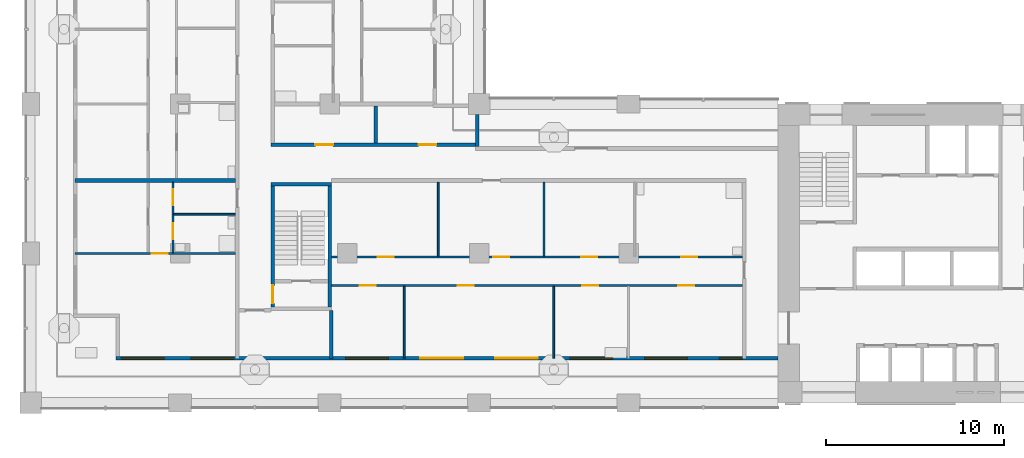
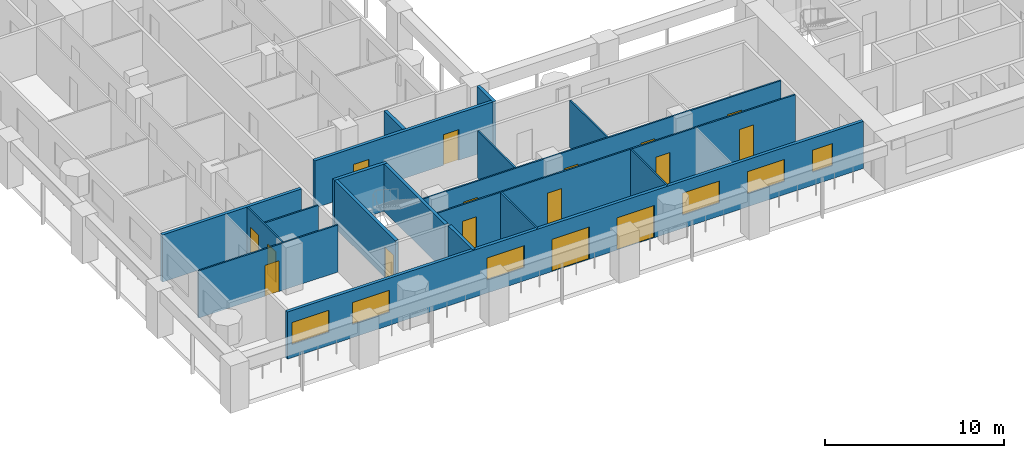
# One storey, part 2 of 18: 18 walls, 16 doors, 6 windows, 22 openings.
"""IFC4 building model written with IfcOpenShell, lengths in metres."""

from ifc_helpers import new_model, si_unit, direction, frame, frame_2d, origin, place, context, subcontext, project, spatial, rectangle, extrude, material, layer, layer_set, type_object, element, fill, save


model = new_model("IFC4")

# Units and contexts
model_context = context("Model", 3, precision=1e-05, world=origin(), true_north=direction((0.0, 1.0)))
body_context = subcontext(model_context, "Body", "Model", "MODEL_VIEW")
ifc_project = project(units=[si_unit("LENGTHUNIT", "METRE"), si_unit("AREAUNIT", "SQUARE_METRE"), si_unit("VOLUMEUNIT", "CUBIC_METRE"), si_unit("PLANEANGLEUNIT", "RADIAN"), si_unit("MASSUNIT", "GRAM", prefix="KILO")], contexts=[model_context])

# Site, building, storey
site_placement = place(None, origin())
site = spatial("IfcSite", under=ifc_project, at=site_placement, CompositionType="ELEMENT")
building_placement = place(site_placement, origin())
building = spatial("IfcBuilding", under=site, at=building_placement, Name="Vermilion Gate Residences", CompositionType="ELEMENT")
storey_placement = place(building_placement, frame((0.0, 0.0, 88.199951171875)))
storey = spatial("IfcBuildingStorey", under=building, at=storey_placement, Name="L21", CompositionType="ELEMENT", Elevation=88.199951171875)

# Wall, openings, doors, windows
ifc_material_1 = material(Name="Insulated steel stud wall with terracotta rainscreen", Category="masonry")
ifc_layer_1 = layer(ifc_material_1, 0.199951171875)
ifc_layer_set_1 = layer_set([ifc_layer_1], Name="EXTERNAL WALL 200 TERRACOTTA RAINSCREEN")
wall_type_1 = type_object("IfcWallType", Name="EXTERNAL WALL 200 TERRACOTTA RAINSCREEN", PredefinedType="SOLIDWALL", material=ifc_layer_set_1)
wall_1_placement = place(storey_placement, frame((4.800048828125, 10.89990234375, 0.0), z_axis=(0.0, 0.0, 1.0), x_axis=(1.0, 0.0, 0.0)))
wall_1 = element("IfcWall", 1, at=wall_1_placement, inside=storey, type_object=wall_type_1, Name="External wall", PredefinedType="SOLIDWALL", context=body_context, shape_type="SweptSolid", body=[
    extrude(rectangle(XDim=37.199951171875, YDim=0.199951171875, at=frame_2d((18.60009765625, 0.0))), origin(), (0.0, 0.0, 1.0), 3.219970703125),
])
opening_1_placement = place(wall_1_placement, frame((0.300048828125, 0.0, 0.89990234375)))
opening_1 = element("IfcOpeningElement", 2, at=opening_1_placement, cuts=wall_1, Name="Opening WE21012", PredefinedType="OPENING", context=body_context, shape_type="SweptSolid", body=[
    extrude(rectangle(XDim=2.39990234375, YDim=1.5, at=frame_2d((1.199951171875, 0.75))), frame((0.0, 0.10986328125, 0.0), z_axis=(0.0, -1.0, 0.0), x_axis=(1.0, 0.0, 0.0)), (0.0, 0.0, 1.0), 0.219970703125),
])
opening_2_placement = place(wall_1_placement, frame((4.199951171875, 0.0, 0.89990234375)))
opening_2 = element("IfcOpeningElement", 3, at=opening_2_placement, cuts=wall_1, Name="Opening WE21013", PredefinedType="OPENING", context=body_context, shape_type="SweptSolid", body=[
    extrude(rectangle(XDim=2.39990234375, YDim=1.5, at=frame_2d((1.199951171875, 0.75))), frame((0.0, 0.10986328125, 0.0), z_axis=(0.0, -1.0, 0.0), x_axis=(1.0, 0.0, 0.0)), (0.0, 0.0, 1.0), 0.219970703125),
])
opening_3_placement = place(wall_1_placement, frame((12.89990234375, 0.0, 0.89990234375)))
opening_3 = element("IfcOpeningElement", 4, at=opening_3_placement, cuts=wall_1, Name="Opening WE21014", PredefinedType="OPENING", context=body_context, shape_type="SweptSolid", body=[
    extrude(rectangle(XDim=2.39990234375, YDim=1.5, at=frame_2d((1.199951171875, 0.75))), frame((0.0, 0.10986328125, 0.0), z_axis=(0.0, -1.0, 0.0), x_axis=(1.0, 0.0, 0.0)), (0.0, 0.0, 1.0), 0.219970703125),
])
opening_4_placement = place(wall_1_placement, frame((17.10009765625, 0.0, 0.0)))
opening_4 = element("IfcOpeningElement", 5, at=opening_4_placement, cuts=wall_1, Name="Opening DE21015", PredefinedType="OPENING", context=body_context, shape_type="SweptSolid", body=[
    extrude(rectangle(XDim=2.39990234375, YDim=2.199951171875, at=frame_2d((1.199951171875, 1.10009765625))), frame((0.0, 0.10986328125, 0.0), z_axis=(0.0, -1.0, 0.0), x_axis=(1.0, 0.0, 0.0)), (0.0, 0.0, 1.0), 0.219970703125),
])
opening_5_placement = place(wall_1_placement, frame((21.300048828125, 0.0, 0.0)))
opening_5 = element("IfcOpeningElement", 6, at=opening_5_placement, cuts=wall_1, Name="Opening DE21016", PredefinedType="OPENING", context=body_context, shape_type="SweptSolid", body=[
    extrude(rectangle(XDim=2.39990234375, YDim=2.199951171875, at=frame_2d((1.199951171875, 1.10009765625))), frame((0.0, 0.10986328125, 0.0), z_axis=(0.0, -1.0, 0.0), x_axis=(1.0, 0.0, 0.0)), (0.0, 0.0, 1.0), 0.219970703125),
])
opening_6_placement = place(wall_1_placement, frame((25.5, 0.0, 0.89990234375)))
opening_6 = element("IfcOpeningElement", 7, at=opening_6_placement, cuts=wall_1, Name="Opening WE21017", PredefinedType="OPENING", context=body_context, shape_type="SweptSolid", body=[
    extrude(rectangle(XDim=2.39990234375, YDim=1.5, at=frame_2d((1.199951171875, 0.75))), frame((0.0, 0.10986328125, 0.0), z_axis=(0.0, -1.0, 0.0), x_axis=(1.0, 0.0, 0.0)), (0.0, 0.0, 1.0), 0.219970703125),
])
opening_7_placement = place(wall_1_placement, frame((29.699951171875, 0.0, 0.89990234375)))
opening_7 = element("IfcOpeningElement", 8, at=opening_7_placement, cuts=wall_1, Name="Opening WE21018", PredefinedType="OPENING", context=body_context, shape_type="SweptSolid", body=[
    extrude(rectangle(XDim=2.39990234375, YDim=1.5, at=frame_2d((1.199951171875, 0.75))), frame((0.0, 0.10986328125, 0.0), z_axis=(0.0, -1.0, 0.0), x_axis=(1.0, 0.0, 0.0)), (0.0, 0.0, 1.0), 0.219970703125),
])
opening_8_placement = place(wall_1_placement, frame((33.89990234375, 0.0, 0.89990234375)))
opening_8 = element("IfcOpeningElement", 9, at=opening_8_placement, cuts=wall_1, Name="Opening WE21019", PredefinedType="OPENING", context=body_context, shape_type="SweptSolid", body=[
    extrude(rectangle(XDim=1.300048828125, YDim=1.5, at=frame_2d((0.64990234375, 0.75))), frame((0.0, 0.10986328125, 0.0), z_axis=(0.0, -1.0, 0.0), x_axis=(1.0, 0.0, 0.0)), (0.0, 0.0, 1.0), 0.219970703125),
])
ifc_material_2 = material(Name="Aluminium and clear glass", Category="aluminium")
door_type_1 = type_object("IfcDoorType", Name="SLIDING GLAZED DOOR 2400 X 2200", OperationType="DOUBLE_DOOR_SLIDING", PredefinedType="DOOR", material=ifc_material_2)
door_1_placement = place(opening_4_placement, origin())
door_1 = element("IfcDoor", 10, at=door_1_placement, inside=storey, type_object=door_type_1, Name="Loggia sliding door", OperationType="DOUBLE_DOOR_SLIDING", OverallHeight=2.199951171875, OverallWidth=2.39990234375, PredefinedType="DOOR", context=body_context, shape_type="SweptSolid", body=[
    extrude(rectangle(XDim=2.39990234375, YDim=2.199951171875, at=frame_2d((1.199951171875, 1.10009765625))), frame((0.0, 0.02490234375, 0.0), z_axis=(0.0, -1.0, 0.0), x_axis=(1.0, 0.0, 0.0)), (0.0, 0.0, 1.0), 0.050048828125),
])
fill(opening_4, door_1)
door_2_placement = place(opening_5_placement, origin())
door_2 = element("IfcDoor", 11, at=door_2_placement, inside=storey, type_object=door_type_1, Name="Loggia sliding door", OperationType="DOUBLE_DOOR_SLIDING", OverallHeight=2.199951171875, OverallWidth=2.39990234375, PredefinedType="DOOR", context=body_context, shape_type="SweptSolid", body=[
    extrude(rectangle(XDim=2.39990234375, YDim=2.199951171875, at=frame_2d((1.199951171875, 1.10009765625))), frame((0.0, 0.02490234375, 0.0), z_axis=(0.0, -1.0, 0.0), x_axis=(1.0, 0.0, 0.0)), (0.0, 0.0, 1.0), 0.050048828125),
])
fill(opening_5, door_2)
ifc_material_3 = material(Name="Aluminium and clear glass", Category="aluminium")
window_type_1 = type_object("IfcWindowType", Name="WINDOW 1300 X 1500", PartitioningType="SINGLE_PANEL", PredefinedType="WINDOW", material=ifc_material_3)
window_1_placement = place(opening_8_placement, origin())
window_1 = element("IfcWindow", 12, at=window_1_placement, inside=storey, type_object=window_type_1, Name="Window", OverallHeight=1.5, OverallWidth=1.300048828125, PartitioningType="SINGLE_PANEL", PredefinedType="WINDOW", context=body_context, shape_type="SweptSolid", body=[
    extrude(rectangle(XDim=1.300048828125, YDim=1.5, at=frame_2d((0.64990234375, 0.75))), frame((0.0, 0.030029296875, 0.0), z_axis=(0.0, -1.0, 0.0), x_axis=(1.0, 0.0, 0.0)), (0.0, 0.0, 1.0), 0.06005859375),
])
fill(opening_8, window_1)
ifc_material_4 = material(Name="Aluminium and clear glass", Category="aluminium")
window_type_2 = type_object("IfcWindowType", Name="WINDOW 2400 X 1500", PartitioningType="SINGLE_PANEL", PredefinedType="WINDOW", material=ifc_material_4)
window_2_placement = place(opening_1_placement, origin())
window_2 = element("IfcWindow", 13, at=window_2_placement, inside=storey, type_object=window_type_2, Name="Window", OverallHeight=1.5, OverallWidth=2.39990234375, PartitioningType="SINGLE_PANEL", PredefinedType="WINDOW", context=body_context, shape_type="SweptSolid", body=[
    extrude(rectangle(XDim=2.39990234375, YDim=1.5, at=frame_2d((1.199951171875, 0.75))), frame((0.0, 0.030029296875, 0.0), z_axis=(0.0, -1.0, 0.0), x_axis=(1.0, 0.0, 0.0)), (0.0, 0.0, 1.0), 0.06005859375),
])
fill(opening_1, window_2)
window_3_placement = place(opening_2_placement, origin())
window_3 = element("IfcWindow", 14, at=window_3_placement, inside=storey, type_object=window_type_2, Name="Window", OverallHeight=1.5, OverallWidth=2.39990234375, PartitioningType="SINGLE_PANEL", PredefinedType="WINDOW", context=body_context, shape_type="SweptSolid", body=[
    extrude(rectangle(XDim=2.39990234375, YDim=1.5, at=frame_2d((1.199951171875, 0.75))), frame((0.0, 0.030029296875, 0.0), z_axis=(0.0, -1.0, 0.0), x_axis=(1.0, 0.0, 0.0)), (0.0, 0.0, 1.0), 0.06005859375),
])
fill(opening_2, window_3)
window_4_placement = place(opening_3_placement, origin())
window_4 = element("IfcWindow", 15, at=window_4_placement, inside=storey, type_object=window_type_2, Name="Window", OverallHeight=1.5, OverallWidth=2.39990234375, PartitioningType="SINGLE_PANEL", PredefinedType="WINDOW", context=body_context, shape_type="SweptSolid", body=[
    extrude(rectangle(XDim=2.39990234375, YDim=1.5, at=frame_2d((1.199951171875, 0.75))), frame((0.0, 0.030029296875, 0.0), z_axis=(0.0, -1.0, 0.0), x_axis=(1.0, 0.0, 0.0)), (0.0, 0.0, 1.0), 0.06005859375),
])
fill(opening_3, window_4)
window_5_placement = place(opening_6_placement, origin())
window_5 = element("IfcWindow", 16, at=window_5_placement, inside=storey, type_object=window_type_2, Name="Window", OverallHeight=1.5, OverallWidth=2.39990234375, PartitioningType="SINGLE_PANEL", PredefinedType="WINDOW", context=body_context, shape_type="SweptSolid", body=[
    extrude(rectangle(XDim=2.39990234375, YDim=1.5, at=frame_2d((1.199951171875, 0.75))), frame((0.0, 0.030029296875, 0.0), z_axis=(0.0, -1.0, 0.0), x_axis=(1.0, 0.0, 0.0)), (0.0, 0.0, 1.0), 0.06005859375),
])
fill(opening_6, window_5)
window_6_placement = place(opening_7_placement, origin())
window_6 = element("IfcWindow", 17, at=window_6_placement, inside=storey, type_object=window_type_2, Name="Window", OverallHeight=1.5, OverallWidth=2.39990234375, PartitioningType="SINGLE_PANEL", PredefinedType="WINDOW", context=body_context, shape_type="SweptSolid", body=[
    extrude(rectangle(XDim=2.39990234375, YDim=1.5, at=frame_2d((1.199951171875, 0.75))), frame((0.0, 0.030029296875, 0.0), z_axis=(0.0, -1.0, 0.0), x_axis=(1.0, 0.0, 0.0)), (0.0, 0.0, 1.0), 0.06005859375),
])
fill(opening_7, window_6)

# Wall
wall_2_placement = place(storey_placement, frame((25.10009765625, 22.800048828125, 0.0), z_axis=(0.0, 0.0, 1.0), x_axis=(0.0, 1.0, 0.0)))
element("IfcWall", 18, at=wall_2_placement, inside=storey, type_object=wall_type_1, Name="External wall", PredefinedType="SOLIDWALL", context=body_context, shape_type="SweptSolid", body=[
    extrude(rectangle(XDim=1.800048828125, YDim=0.199951171875, at=frame_2d((0.89990234375, 0.0))), origin(), (0.0, 0.0, 1.0), 3.219970703125),
])

# Wall, openings, doors
ifc_material_5 = material(Name="Plasterboard on steel studs", Category="steel")
ifc_layer_2 = layer(ifc_material_5, 0.10009765625)
ifc_layer_set_2 = layer_set([ifc_layer_2], Name="PARTITION 100")
wall_type_2 = type_object("IfcWallType", Name="PARTITION 100", PredefinedType="PARTITIONING", material=ifc_layer_set_2)
wall_3_placement = place(storey_placement, frame((16.89990234375, 15.0, 0.0), z_axis=(0.0, 0.0, 1.0), x_axis=(1.0, 0.0, 0.0)))
wall_3 = element("IfcWall", 19, at=wall_3_placement, inside=storey, type_object=wall_type_2, Name="Partition", PredefinedType="PARTITIONING", context=body_context, shape_type="SweptSolid", body=[
    extrude(rectangle(XDim=23.10009765625, YDim=0.10009765625, at=frame_2d((11.550048828125, 0.0))), origin(), (0.0, 0.0, 1.0), 3.219970703125),
])
opening_9_placement = place(wall_3_placement, frame((1.60009765625, 0.0, 0.0)))
opening_9 = element("IfcOpeningElement", 20, at=opening_9_placement, cuts=wall_3, Name="Opening DA19002", PredefinedType="OPENING", context=body_context, shape_type="SweptSolid", body=[
    extrude(rectangle(XDim=0.89990234375, YDim=2.10009765625, at=frame_2d((0.449951171875, 1.050048828125))), frame((0.0, 0.06005859375, 0.0), z_axis=(0.0, -1.0, 0.0), x_axis=(1.0, 0.0, 0.0)), (0.0, 0.0, 1.0), 0.1201171875),
])
opening_10_placement = place(wall_3_placement, frame((7.10009765625, 0.0, 0.0)))
opening_10 = element("IfcOpeningElement", 21, at=opening_10_placement, cuts=wall_3, Name="Opening DA19003", PredefinedType="OPENING", context=body_context, shape_type="SweptSolid", body=[
    extrude(rectangle(XDim=0.89990234375, YDim=2.10009765625, at=frame_2d((0.449951171875, 1.050048828125))), frame((0.0, 0.06005859375, 0.0), z_axis=(0.0, -1.0, 0.0), x_axis=(1.0, 0.0, 0.0)), (0.0, 0.0, 1.0), 0.1201171875),
])
opening_11_placement = place(wall_3_placement, frame((14.10009765625, 0.0, 0.0)))
opening_11 = element("IfcOpeningElement", 22, at=opening_11_placement, cuts=wall_3, Name="Opening DA19004", PredefinedType="OPENING", context=body_context, shape_type="SweptSolid", body=[
    extrude(rectangle(XDim=0.89990234375, YDim=2.10009765625, at=frame_2d((0.449951171875, 1.050048828125))), frame((0.0, 0.06005859375, 0.0), z_axis=(0.0, -1.0, 0.0), x_axis=(1.0, 0.0, 0.0)), (0.0, 0.0, 1.0), 0.1201171875),
])
opening_12_placement = place(wall_3_placement, frame((19.5, 0.0, 0.0)))
opening_12 = element("IfcOpeningElement", 23, at=opening_12_placement, cuts=wall_3, Name="Opening DA19005", PredefinedType="OPENING", context=body_context, shape_type="SweptSolid", body=[
    extrude(rectangle(XDim=0.89990234375, YDim=2.10009765625, at=frame_2d((0.449951171875, 1.050048828125))), frame((0.0, 0.06005859375, 0.0), z_axis=(0.0, -1.0, 0.0), x_axis=(1.0, 0.0, 0.0)), (0.0, 0.0, 1.0), 0.1201171875),
])
ifc_material_6 = material(Name="Timber", Category="wood")
door_type_2 = type_object("IfcDoorType", Name="INTERIOR DOOR 900 X 2100", OperationType="SINGLE_SWING_LEFT", PredefinedType="DOOR", material=ifc_material_6)
door_3_placement = place(opening_9_placement, frame((0.89990234375, 0.0, 0.0), z_axis=(0.0, 0.0, 1.0), x_axis=(-1.0, 0.0, 0.0)))
door_3 = element("IfcDoor", 24, at=door_3_placement, inside=storey, type_object=door_type_2, Name="Interior door", OperationType="SINGLE_SWING_LEFT", OverallHeight=2.10009765625, OverallWidth=0.89990234375, PredefinedType="DOOR", context=body_context, shape_type="SweptSolid", body=[
    extrude(rectangle(XDim=0.89990234375, YDim=2.10009765625, at=frame_2d((0.449951171875, 1.050048828125))), frame((0.0, 0.02490234375, 0.0), z_axis=(0.0, -1.0, 0.0), x_axis=(1.0, 0.0, 0.0)), (0.0, 0.0, 1.0), 0.050048828125),
])
fill(opening_9, door_3)
door_4_placement = place(opening_10_placement, frame((0.89990234375, 0.0, 0.0), z_axis=(0.0, 0.0, 1.0), x_axis=(-1.0, 0.0, 0.0)))
door_4 = element("IfcDoor", 25, at=door_4_placement, inside=storey, type_object=door_type_2, Name="Interior door", OperationType="SINGLE_SWING_RIGHT", OverallHeight=2.10009765625, OverallWidth=0.89990234375, PredefinedType="DOOR", context=body_context, shape_type="SweptSolid", body=[
    extrude(rectangle(XDim=0.89990234375, YDim=2.10009765625, at=frame_2d((0.449951171875, 1.050048828125))), frame((0.0, 0.02490234375, 0.0), z_axis=(0.0, -1.0, 0.0), x_axis=(1.0, 0.0, 0.0)), (0.0, 0.0, 1.0), 0.050048828125),
])
fill(opening_10, door_4)
door_5_placement = place(opening_11_placement, frame((0.89990234375, 0.0, 0.0), z_axis=(0.0, 0.0, 1.0), x_axis=(-1.0, 0.0, 0.0)))
door_5 = element("IfcDoor", 26, at=door_5_placement, inside=storey, type_object=door_type_2, Name="Interior door", OperationType="SINGLE_SWING_RIGHT", OverallHeight=2.10009765625, OverallWidth=0.89990234375, PredefinedType="DOOR", context=body_context, shape_type="SweptSolid", body=[
    extrude(rectangle(XDim=0.89990234375, YDim=2.10009765625, at=frame_2d((0.449951171875, 1.050048828125))), frame((0.0, 0.02490234375, 0.0), z_axis=(0.0, -1.0, 0.0), x_axis=(1.0, 0.0, 0.0)), (0.0, 0.0, 1.0), 0.050048828125),
])
fill(opening_11, door_5)
door_6_placement = place(opening_12_placement, frame((0.89990234375, 0.0, 0.0), z_axis=(0.0, 0.0, 1.0), x_axis=(-1.0, 0.0, 0.0)))
door_6 = element("IfcDoor", 27, at=door_6_placement, inside=storey, type_object=door_type_2, Name="Interior door", OperationType="SINGLE_SWING_LEFT", OverallHeight=2.10009765625, OverallWidth=0.89990234375, PredefinedType="DOOR", context=body_context, shape_type="SweptSolid", body=[
    extrude(rectangle(XDim=0.89990234375, YDim=2.10009765625, at=frame_2d((0.449951171875, 1.050048828125))), frame((0.0, 0.02490234375, 0.0), z_axis=(0.0, -1.0, 0.0), x_axis=(1.0, 0.0, 0.0)), (0.0, 0.0, 1.0), 0.050048828125),
])
fill(opening_12, door_6)

wall_4_placement = place(storey_placement, frame((16.89990234375, 16.60009765625, 0.0), z_axis=(0.0, 0.0, 1.0), x_axis=(1.0, 0.0, 0.0)))
wall_4 = element("IfcWall", 28, at=wall_4_placement, inside=storey, type_object=wall_type_2, Name="Partition", PredefinedType="PARTITIONING", context=body_context, shape_type="SweptSolid", body=[
    extrude(rectangle(XDim=23.10009765625, YDim=0.10009765625, at=frame_2d((11.550048828125, 0.0))), origin(), (0.0, 0.0, 1.0), 3.219970703125),
])
opening_13_placement = place(wall_4_placement, frame((9.10009765625, 0.0, 0.0)))
opening_13 = element("IfcOpeningElement", 29, at=opening_13_placement, cuts=wall_4, Name="Opening DA19006", PredefinedType="OPENING", context=body_context, shape_type="SweptSolid", body=[
    extrude(rectangle(XDim=0.89990234375, YDim=2.10009765625, at=frame_2d((0.449951171875, 1.050048828125))), frame((0.0, 0.06005859375, 0.0), z_axis=(0.0, -1.0, 0.0), x_axis=(1.0, 0.0, 0.0)), (0.0, 0.0, 1.0), 0.1201171875),
])
opening_14_placement = place(wall_4_placement, frame((2.60009765625, 0.0, 0.0)))
opening_14 = element("IfcOpeningElement", 30, at=opening_14_placement, cuts=wall_4, Name="Opening DA19007", PredefinedType="OPENING", context=body_context, shape_type="SweptSolid", body=[
    extrude(rectangle(XDim=0.89990234375, YDim=2.10009765625, at=frame_2d((0.449951171875, 1.050048828125))), frame((0.0, 0.06005859375, 0.0), z_axis=(0.0, -1.0, 0.0), x_axis=(1.0, 0.0, 0.0)), (0.0, 0.0, 1.0), 0.1201171875),
])
opening_15_placement = place(wall_4_placement, frame((14.050048828125, 0.0, 0.0)))
opening_15 = element("IfcOpeningElement", 31, at=opening_15_placement, cuts=wall_4, Name="Opening DA19008", PredefinedType="OPENING", context=body_context, shape_type="SweptSolid", body=[
    extrude(rectangle(XDim=0.89990234375, YDim=2.10009765625, at=frame_2d((0.449951171875, 1.050048828125))), frame((0.0, 0.06005859375, 0.0), z_axis=(0.0, -1.0, 0.0), x_axis=(1.0, 0.0, 0.0)), (0.0, 0.0, 1.0), 0.1201171875),
])
opening_16_placement = place(wall_4_placement, frame((19.64990234375, 0.0, 0.0)))
opening_16 = element("IfcOpeningElement", 32, at=opening_16_placement, cuts=wall_4, Name="Opening DA19009", PredefinedType="OPENING", context=body_context, shape_type="SweptSolid", body=[
    extrude(rectangle(XDim=0.89990234375, YDim=2.10009765625, at=frame_2d((0.449951171875, 1.050048828125))), frame((0.0, 0.06005859375, 0.0), z_axis=(0.0, -1.0, 0.0), x_axis=(1.0, 0.0, 0.0)), (0.0, 0.0, 1.0), 0.1201171875),
])
door_7_placement = place(opening_13_placement, origin())
door_7 = element("IfcDoor", 33, at=door_7_placement, inside=storey, type_object=door_type_2, Name="Interior door", OperationType="SINGLE_SWING_LEFT", OverallHeight=2.10009765625, OverallWidth=0.89990234375, PredefinedType="DOOR", context=body_context, shape_type="SweptSolid", body=[
    extrude(rectangle(XDim=0.89990234375, YDim=2.10009765625, at=frame_2d((0.449951171875, 1.050048828125))), frame((0.0, 0.02490234375, 0.0), z_axis=(0.0, -1.0, 0.0), x_axis=(1.0, 0.0, 0.0)), (0.0, 0.0, 1.0), 0.050048828125),
])
fill(opening_13, door_7)
door_8_placement = place(opening_14_placement, origin())
door_8 = element("IfcDoor", 34, at=door_8_placement, inside=storey, type_object=door_type_2, Name="Interior door", OperationType="SINGLE_SWING_LEFT", OverallHeight=2.10009765625, OverallWidth=0.89990234375, PredefinedType="DOOR", context=body_context, shape_type="SweptSolid", body=[
    extrude(rectangle(XDim=0.89990234375, YDim=2.10009765625, at=frame_2d((0.449951171875, 1.050048828125))), frame((0.0, 0.02490234375, 0.0), z_axis=(0.0, -1.0, 0.0), x_axis=(1.0, 0.0, 0.0)), (0.0, 0.0, 1.0), 0.050048828125),
])
fill(opening_14, door_8)
door_9_placement = place(opening_15_placement, origin())
door_9 = element("IfcDoor", 35, at=door_9_placement, inside=storey, type_object=door_type_2, Name="Interior door", OperationType="SINGLE_SWING_RIGHT", OverallHeight=2.10009765625, OverallWidth=0.89990234375, PredefinedType="DOOR", context=body_context, shape_type="SweptSolid", body=[
    extrude(rectangle(XDim=0.89990234375, YDim=2.10009765625, at=frame_2d((0.449951171875, 1.050048828125))), frame((0.0, 0.02490234375, 0.0), z_axis=(0.0, -1.0, 0.0), x_axis=(1.0, 0.0, 0.0)), (0.0, 0.0, 1.0), 0.050048828125),
])
fill(opening_15, door_9)
door_10_placement = place(opening_16_placement, origin())
door_10 = element("IfcDoor", 36, at=door_10_placement, inside=storey, type_object=door_type_2, Name="Interior door", OperationType="SINGLE_SWING_RIGHT", OverallHeight=2.10009765625, OverallWidth=0.89990234375, PredefinedType="DOOR", context=body_context, shape_type="SweptSolid", body=[
    extrude(rectangle(XDim=0.89990234375, YDim=2.10009765625, at=frame_2d((0.449951171875, 1.050048828125))), frame((0.0, 0.02490234375, 0.0), z_axis=(0.0, -1.0, 0.0), x_axis=(1.0, 0.0, 0.0)), (0.0, 0.0, 1.0), 0.050048828125),
])
fill(opening_16, door_10)

# Wall, opening, door
wall_5_placement = place(storey_placement, frame((2.5, 16.800048828125, 0.0), z_axis=(0.0, 0.0, 1.0), x_axis=(1.0, 0.0, 0.0)))
wall_5 = element("IfcWall", 37, at=wall_5_placement, inside=storey, type_object=wall_type_2, Name="Partition", PredefinedType="PARTITIONING", context=body_context, shape_type="SweptSolid", body=[
    extrude(rectangle(XDim=9.0, YDim=0.10009765625, at=frame_2d((4.5, 0.0))), origin(), (0.0, 0.0, 1.0), 3.219970703125),
])
opening_17_placement = place(wall_5_placement, frame((4.300048828125, 0.0, 0.0)))
opening_17 = element("IfcOpeningElement", 38, at=opening_17_placement, cuts=wall_5, Name="Opening DA19010", PredefinedType="OPENING", context=body_context, shape_type="SweptSolid", body=[
    extrude(rectangle(XDim=0.89990234375, YDim=2.10009765625, at=frame_2d((0.449951171875, 1.050048828125))), frame((0.0, 0.06005859375, 0.0), z_axis=(0.0, -1.0, 0.0), x_axis=(1.0, 0.0, 0.0)), (0.0, 0.0, 1.0), 0.1201171875),
])
door_11_placement = place(opening_17_placement, frame((0.89990234375, 0.0, 0.0), z_axis=(0.0, 0.0, 1.0), x_axis=(-1.0, 0.0, 0.0)))
door_11 = element("IfcDoor", 39, at=door_11_placement, inside=storey, type_object=door_type_2, Name="Interior door", OperationType="SINGLE_SWING_LEFT", OverallHeight=2.10009765625, OverallWidth=0.89990234375, PredefinedType="DOOR", context=body_context, shape_type="SweptSolid", body=[
    extrude(rectangle(XDim=0.89990234375, YDim=2.10009765625, at=frame_2d((0.449951171875, 1.050048828125))), frame((0.0, 0.02490234375, 0.0), z_axis=(0.0, -1.0, 0.0), x_axis=(1.0, 0.0, 0.0)), (0.0, 0.0, 1.0), 0.050048828125),
])
fill(opening_17, door_11)

# Wall
wall_6_placement = place(storey_placement, frame((8.050048828125, 19.0, 0.0), z_axis=(0.0, 0.0, 1.0), x_axis=(1.0, 0.0, 0.0)))
element("IfcWall", 40, at=wall_6_placement, inside=storey, type_object=wall_type_2, Name="Partition", PredefinedType="PARTITIONING", context=body_context, shape_type="SweptSolid", body=[
    extrude(rectangle(XDim=3.449951171875, YDim=0.10009765625, at=frame_2d((1.72509765625, 0.0))), origin(), (0.0, 0.0, 1.0), 3.219970703125),
])

# Wall, openings, doors
wall_7_placement = place(storey_placement, frame((8.0, 16.85009765625, 0.0), z_axis=(0.0, 0.0, 1.0), x_axis=(0.0, 1.0, 0.0)))
wall_7 = element("IfcWall", 41, at=wall_7_placement, inside=storey, type_object=wall_type_2, Name="Partition", PredefinedType="PARTITIONING", context=body_context, shape_type="SweptSolid", body=[
    extrude(rectangle(XDim=3.949951171875, YDim=0.10009765625, at=frame_2d((1.97509765625, 0.0))), origin(), (0.0, 0.0, 1.0), 3.219970703125),
])
opening_18_placement = place(wall_7_placement, frame((2.64990234375, 0.0, 0.0)))
opening_18 = element("IfcOpeningElement", 42, at=opening_18_placement, cuts=wall_7, Name="Opening DA19024", PredefinedType="OPENING", context=body_context, shape_type="SweptSolid", body=[
    extrude(rectangle(XDim=0.89990234375, YDim=2.10009765625, at=frame_2d((0.449951171875, 1.050048828125))), frame((0.0, 0.06005859375, 0.0), z_axis=(0.0, -1.0, 0.0), x_axis=(1.0, 0.0, 0.0)), (0.0, 0.0, 1.0), 0.1201171875),
])
opening_19_placement = place(wall_7_placement, frame((0.75, 0.0, 0.0)))
opening_19 = element("IfcOpeningElement", 43, at=opening_19_placement, cuts=wall_7, Name="Opening DA19025", PredefinedType="OPENING", context=body_context, shape_type="SweptSolid", body=[
    extrude(rectangle(XDim=0.89990234375, YDim=2.10009765625, at=frame_2d((0.449951171875, 1.050048828125))), frame((0.0, 0.06005859375, 0.0), z_axis=(0.0, -1.0, 0.0), x_axis=(1.0, 0.0, 0.0)), (0.0, 0.0, 1.0), 0.1201171875),
])
door_12_placement = place(opening_18_placement, origin())
door_12 = element("IfcDoor", 44, at=door_12_placement, inside=storey, type_object=door_type_2, Name="Interior door", OperationType="SINGLE_SWING_RIGHT", OverallHeight=2.10009765625, OverallWidth=0.89990234375, PredefinedType="DOOR", context=body_context, shape_type="SweptSolid", body=[
    extrude(rectangle(XDim=0.89990234375, YDim=2.10009765625, at=frame_2d((0.449951171875, 1.050048828125))), frame((0.0, 0.02490234375, 0.0), z_axis=(0.0, -1.0, 0.0), x_axis=(1.0, 0.0, 0.0)), (0.0, 0.0, 1.0), 0.050048828125),
])
fill(opening_18, door_12)
door_13_placement = place(opening_19_placement, frame((0.89990234375, 0.0, 0.0), z_axis=(0.0, 0.0, 1.0), x_axis=(-1.0, 0.0, 0.0)))
door_13 = element("IfcDoor", 45, at=door_13_placement, inside=storey, type_object=door_type_2, Name="Interior door", OperationType="SINGLE_SWING_RIGHT", OverallHeight=2.10009765625, OverallWidth=0.89990234375, PredefinedType="DOOR", context=body_context, shape_type="SweptSolid", body=[
    extrude(rectangle(XDim=0.89990234375, YDim=2.10009765625, at=frame_2d((0.449951171875, 1.050048828125))), frame((0.0, 0.02490234375, 0.0), z_axis=(0.0, -1.0, 0.0), x_axis=(1.0, 0.0, 0.0)), (0.0, 0.0, 1.0), 0.050048828125),
])
fill(opening_19, door_13)

# Walls
wall_8_placement = place(storey_placement, frame((21.0, 10.89990234375, 0.0), z_axis=(0.0, 0.0, 1.0), x_axis=(0.0, 1.0, 0.0)))
element("IfcWall", 46, at=wall_8_placement, inside=storey, type_object=wall_type_2, Name="Partition", PredefinedType="PARTITIONING", context=body_context, shape_type="SweptSolid", body=[
    extrude(rectangle(XDim=4.050048828125, YDim=0.10009765625, at=frame_2d((2.02490234375, 0.0))), origin(), (0.0, 0.0, 1.0), 3.219970703125),
])
for number, where, z_axis, x_axis, name in (
    (47, (22.89990234375, 16.64990234375, 0.0), (0.0, 0.0, 1.0), (0.0, 1.0, 0.0), "Partition"),
    (48, (28.85009765625, 16.64990234375, 0.0), (0.0, 0.0, 1.0), (0.0, 1.0, 0.0), "Partition"),
):
    element("IfcWall", number, at=place(storey_placement, frame(where, z_axis=z_axis, x_axis=x_axis)), inside=storey, type_object=wall_type_2, Name=name, PredefinedType="PARTITIONING", context=body_context, shape_type="SweptSolid", body=[
        extrude(rectangle(XDim=4.150146484375, YDim=0.10009765625, at=frame_2d((2.0751953125, 0.0))), origin(), (0.0, 0.0, 1.0), 3.219970703125),
    ])
wall_9_placement = place(storey_placement, frame((29.39990234375, 10.89990234375, 0.0), z_axis=(0.0, 0.0, 1.0), x_axis=(0.0, 1.0, 0.0)))
element("IfcWall", 49, at=wall_9_placement, inside=storey, type_object=wall_type_2, Name="Partition", PredefinedType="PARTITIONING", context=body_context, shape_type="SweptSolid", body=[
    extrude(rectangle(XDim=4.050048828125, YDim=0.10009765625, at=frame_2d((2.02490234375, 0.0))), origin(), (0.0, 0.0, 1.0), 3.219970703125),
])
ifc_material_7 = material(Name="Fire-rated plasterboard on steel studs", Category="steel")
ifc_layer_3 = layer(ifc_material_7, 0.199951171875)
ifc_layer_set_3 = layer_set([ifc_layer_3], Name="PARTY WALL 200 EI 120")
wall_type_3 = type_object("IfcWallType", Name="PARTY WALL 200 EI 120", PredefinedType="PARTITIONING", material=ifc_layer_set_3)
wall_10_placement = place(storey_placement, frame((2.5, 20.89990234375, 0.0), z_axis=(0.0, 0.0, 1.0), x_axis=(1.0, 0.0, 0.0)))
element("IfcWall", 50, at=wall_10_placement, inside=storey, type_object=wall_type_3, Name="Party and corridor wall", PredefinedType="PARTITIONING", context=body_context, shape_type="SweptSolid", body=[
    extrude(rectangle(XDim=9.0, YDim=0.199951171875, at=frame_2d((4.5, 0.0))), origin(), (0.0, 0.0, 1.0), 3.219970703125),
])

# Wall, openings, doors
wall_11_placement = place(storey_placement, frame((13.5, 22.89990234375, 0.0), z_axis=(0.0, 0.0, 1.0), x_axis=(1.0, 0.0, 0.0)))
wall_11 = element("IfcWall", 51, at=wall_11_placement, inside=storey, type_object=wall_type_3, Name="Party and corridor wall", PredefinedType="PARTITIONING", context=body_context, shape_type="SweptSolid", body=[
    extrude(rectangle(XDim=11.60009765625, YDim=0.199951171875, at=frame_2d((5.800048828125, 0.0))), origin(), (0.0, 0.0, 1.0), 3.219970703125),
])
opening_20_placement = place(wall_11_placement, frame((2.5, 0.0, 0.0)))
opening_20 = element("IfcOpeningElement", 52, at=opening_20_placement, cuts=wall_11, Name="Opening DA19012", PredefinedType="OPENING", context=body_context, shape_type="SweptSolid", body=[
    extrude(rectangle(XDim=1.0, YDim=2.10009765625, at=frame_2d((0.5, 1.050048828125))), frame((0.0, 0.10986328125, 0.0), z_axis=(0.0, -1.0, 0.0), x_axis=(1.0, 0.0, 0.0)), (0.0, 0.0, 1.0), 0.219970703125),
])
opening_21_placement = place(wall_11_placement, frame((8.300048828125, 0.0, 0.0)))
opening_21 = element("IfcOpeningElement", 53, at=opening_21_placement, cuts=wall_11, Name="Opening DA19013", PredefinedType="OPENING", context=body_context, shape_type="SweptSolid", body=[
    extrude(rectangle(XDim=1.0, YDim=2.10009765625, at=frame_2d((0.5, 1.050048828125))), frame((0.0, 0.10986328125, 0.0), z_axis=(0.0, -1.0, 0.0), x_axis=(1.0, 0.0, 0.0)), (0.0, 0.0, 1.0), 0.219970703125),
])
ifc_material_8 = material(Name="Steel", Category="steel")
door_type_3 = type_object("IfcDoorType", Name="ENTRANCE DOOR 1000 X 2100 FD30", OperationType="SINGLE_SWING_LEFT", PredefinedType="DOOR", material=ifc_material_8)
door_14_placement = place(opening_20_placement, origin())
door_14 = element("IfcDoor", 54, at=door_14_placement, inside=storey, type_object=door_type_3, Name="Entrance door", OperationType="SINGLE_SWING_RIGHT", OverallHeight=2.10009765625, OverallWidth=1.0, PredefinedType="DOOR", context=body_context, shape_type="SweptSolid", body=[
    extrude(rectangle(XDim=1.0, YDim=2.10009765625, at=frame_2d((0.5, 1.050048828125))), frame((0.0, 0.02490234375, 0.0), z_axis=(0.0, -1.0, 0.0), x_axis=(1.0, 0.0, 0.0)), (0.0, 0.0, 1.0), 0.050048828125),
])
fill(opening_20, door_14)
door_15_placement = place(opening_21_placement, origin())
door_15 = element("IfcDoor", 55, at=door_15_placement, inside=storey, type_object=door_type_3, Name="Entrance door", OperationType="SINGLE_SWING_RIGHT", OverallHeight=2.10009765625, OverallWidth=1.0, PredefinedType="DOOR", context=body_context, shape_type="SweptSolid", body=[
    extrude(rectangle(XDim=1.0, YDim=2.10009765625, at=frame_2d((0.5, 1.050048828125))), frame((0.0, 0.02490234375, 0.0), z_axis=(0.0, -1.0, 0.0), x_axis=(1.0, 0.0, 0.0)), (0.0, 0.0, 1.0), 0.050048828125),
])
fill(opening_21, door_15)

# Walls
wall_12_placement = place(storey_placement, frame((16.89990234375, 10.89990234375, 0.0), z_axis=(0.0, 0.0, 1.0), x_axis=(0.0, 1.0, 0.0)))
element("IfcWall", 56, at=wall_12_placement, inside=storey, type_object=wall_type_3, Name="Party and corridor wall", PredefinedType="PARTITIONING", context=body_context, shape_type="SweptSolid", body=[
    extrude(rectangle(XDim=2.7001953125, YDim=0.199951171875, at=frame_2d((1.35009765625, 0.0))), origin(), (0.0, 0.0, 1.0), 3.219970703125),
])
wall_13_placement = place(storey_placement, frame((19.39990234375, 23.0, 0.0), z_axis=(0.0, 0.0, 1.0), x_axis=(0.0, 1.0, 0.0)))
element("IfcWall", 57, at=wall_13_placement, inside=storey, type_object=wall_type_3, Name="Party and corridor wall", PredefinedType="PARTITIONING", context=body_context, shape_type="SweptSolid", body=[
    extrude(rectangle(XDim=2.10009765625, YDim=0.199951171875, at=frame_2d((1.050048828125, 0.0))), origin(), (0.0, 0.0, 1.0), 3.219970703125),
])

# Wall, opening, door
ifc_material_9 = material(Name="Concrete C60", Category="concrete")
ifc_layer_4 = layer(ifc_material_9, 0.199951171875)
ifc_layer_set_4 = layer_set([ifc_layer_4], Name="RC CORE INTERNAL WALL 200 C60")
wall_type_4 = type_object("IfcWallType", Name="RC CORE INTERNAL WALL 200 C60", PredefinedType="SHEAR", material=ifc_layer_set_4)
wall_14_placement = place(storey_placement, frame((13.60009765625, 13.800048828125, 0.0), z_axis=(0.0, 0.0, 1.0), x_axis=(0.0, 1.0, 0.0)))
wall_14 = element("IfcWall", 58, at=wall_14_placement, inside=storey, type_object=wall_type_4, Name="Core internal wall C21-W", PredefinedType="SHEAR", context=body_context, shape_type="SweptSolid", body=[
    extrude(rectangle(XDim=6.800048828125, YDim=0.199951171875, at=frame_2d((3.39990234375, 0.0))), origin(), (0.0, 0.0, 1.0), 3.219970703125),
])
opening_22_placement = place(wall_14_placement, frame((0.199951171875, 0.0, 0.0)))
opening_22 = element("IfcOpeningElement", 59, at=opening_22_placement, cuts=wall_14, Name="Opening DK21201", PredefinedType="OPENING", context=body_context, shape_type="SweptSolid", body=[
    extrude(rectangle(XDim=1.0, YDim=2.10009765625, at=frame_2d((0.5, 1.050048828125))), frame((0.0, 0.10986328125, 0.0), z_axis=(0.0, -1.0, 0.0), x_axis=(1.0, 0.0, 0.0)), (0.0, 0.0, 1.0), 0.219970703125),
])
ifc_material_10 = material(Name="Steel", Category="steel")
door_type_4 = type_object("IfcDoorType", Name="FIRE DOOR FD60 1000 X 2100", OperationType="SINGLE_SWING_LEFT", PredefinedType="DOOR", material=ifc_material_10)
door_16_placement = place(opening_22_placement, frame((1.0, 0.0, 0.0), z_axis=(0.0, 0.0, 1.0), x_axis=(-1.0, 0.0, 0.0)))
door_16 = element("IfcDoor", 60, at=door_16_placement, inside=storey, type_object=door_type_4, Name="Stair vestibule door C21", OperationType="SINGLE_SWING_LEFT", OverallHeight=2.10009765625, OverallWidth=1.0, PredefinedType="DOOR", context=body_context, shape_type="SweptSolid", body=[
    extrude(rectangle(XDim=1.0, YDim=2.10009765625, at=frame_2d((0.5, 1.050048828125))), frame((0.0, 0.02490234375, 0.0), z_axis=(0.0, -1.0, 0.0), x_axis=(1.0, 0.0, 0.0)), (0.0, 0.0, 1.0), 0.050048828125),
])
fill(opening_22, door_16)

# Walls
wall_15_placement = place(storey_placement, frame((16.800048828125, 13.800048828125, 0.0), z_axis=(0.0, 0.0, 1.0), x_axis=(0.0, 1.0, 0.0)))
element("IfcWall", 61, at=wall_15_placement, inside=storey, type_object=wall_type_4, Name="Core internal wall C21-E", PredefinedType="SHEAR", context=body_context, shape_type="SweptSolid", body=[
    extrude(rectangle(XDim=6.800048828125, YDim=0.199951171875, at=frame_2d((3.39990234375, 0.0))), origin(), (0.0, 0.0, 1.0), 3.219970703125),
])
wall_16_placement = place(storey_placement, frame((13.5, 20.699951171875, 0.0), z_axis=(0.0, 0.0, 1.0), x_axis=(1.0, 0.0, 0.0)))
element("IfcWall", 62, at=wall_16_placement, inside=storey, type_object=wall_type_4, Name="Core internal wall C21-N", PredefinedType="SHEAR", context=body_context, shape_type="SweptSolid", body=[
    extrude(rectangle(XDim=3.39990234375, YDim=0.199951171875, at=frame_2d((1.699951171875, 0.0))), origin(), (0.0, 0.0, 1.0), 3.219970703125),
])

save(model, "model.ifc")
